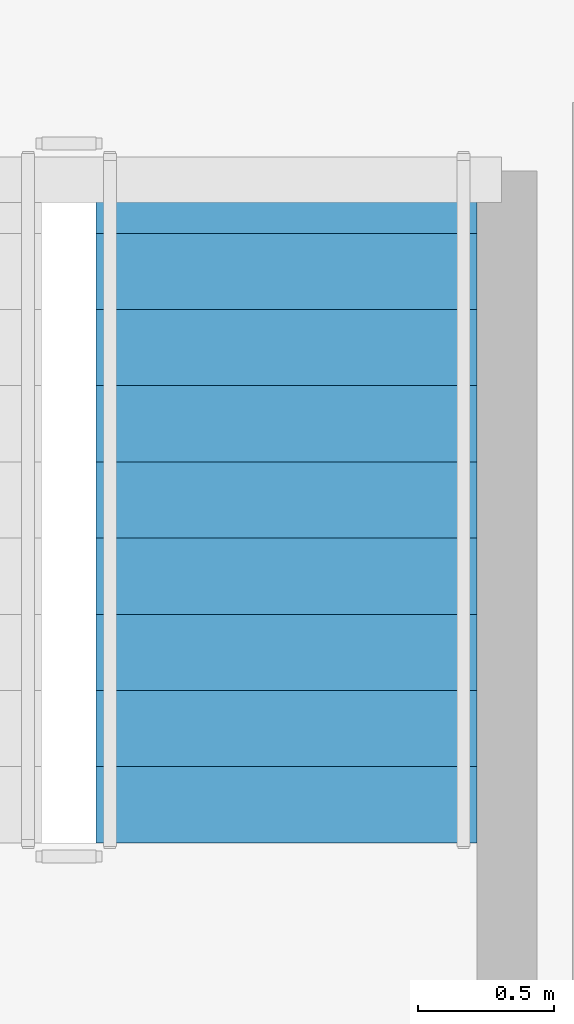
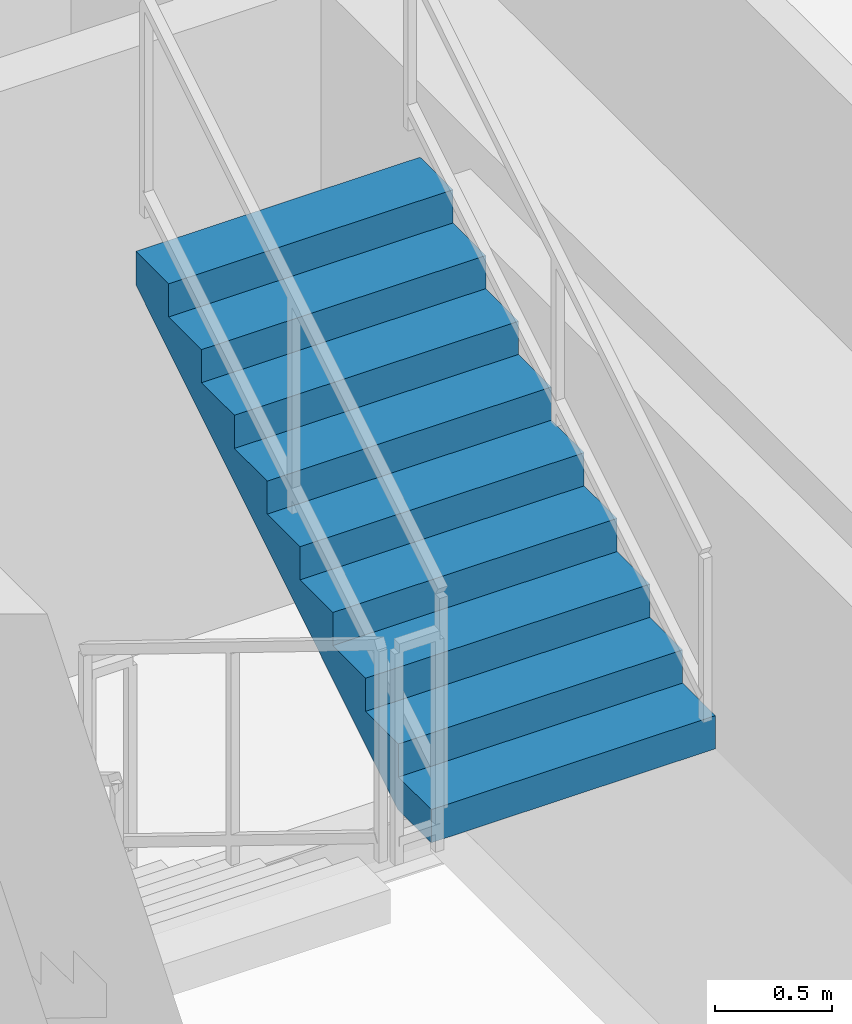
# One storey, part 27 of 30: 1 stair flight, 1 element without a shape of its own.
"""IFC4 building model written with IfcOpenShell, lengths in metres."""

from ifc_helpers import new_model, si_unit, direction, frame, origin, place, context, subcontext, project, spatial, polyline, outline, extrude, material, type_object, element, aggregate, save


model = new_model("IFC4")

# Units and contexts
model_context = context("Model", 3, precision=1e-05, world=origin(), true_north=direction((0.0, 1.0)))
body_context = subcontext(model_context, "Body", "Model", "MODEL_VIEW")
ifc_project = project(units=[si_unit("LENGTHUNIT", "METRE"), si_unit("AREAUNIT", "SQUARE_METRE"), si_unit("VOLUMEUNIT", "CUBIC_METRE"), si_unit("PLANEANGLEUNIT", "RADIAN"), si_unit("MASSUNIT", "GRAM", prefix="KILO")], contexts=[model_context])

# Site, building, storey
site_placement = place(None, origin())
site = spatial("IfcSite", under=ifc_project, at=site_placement, CompositionType="ELEMENT")
building_placement = place(site_placement, origin())
building = spatial("IfcBuilding", under=site, at=building_placement, Name="Qarnah Convention Tower", CompositionType="ELEMENT")
storey_placement = place(building_placement, frame((0.0, 0.0, 79.800048828125)))
storey = spatial("IfcBuildingStorey", under=building, at=storey_placement, Name="L20", CompositionType="ELEMENT", Elevation=79.800048828125)

# Stair, stair flight
ifc_material = material(Name="Concrete C50/60", Category="concrete")
stair_type = type_object("IfcStairType", Name="STR-HTL", PredefinedType="HALF_TURN_STAIR", material=ifc_material)
stair_placement = place(storey_placement, origin())
stair = element("IfcStair", 1, at=stair_placement, inside=storey, type_object=stair_type, Name="L20 Core exit stair ST-2", PredefinedType="HALF_TURN_STAIR")
stair_flight_type = type_object("IfcStairFlightType", Name="FLT-HTL", PredefinedType="STRAIGHT", material=ifc_material)
stair_flight_placement = place(storey_placement, frame((46.25, 22.780029296875, 1.724853515625), z_axis=(0.0, 0.0, 1.0), x_axis=(0.0, 1.0, 0.0)))
stair_flight = element("IfcStairFlight", 2, at=stair_flight_placement, type_object=stair_flight_type, Name="ST-2 flight 2", NumberOfRisers=10, NumberOfTreads=9, PredefinedType="STRAIGHT", RiserHeight=0.1725, TreadLength=0.28, context=body_context, shape_type="SweptSolid", body=[
    extrude(outline(polyline([(0.0, 0.0), (0.0, 0.172607421875), (0.280029296875, 0.172607421875), (0.280029296875, 0.344970703125), (0.56005859375, 0.344970703125), (0.56005859375, 0.517578125), (0.840087890625, 0.517578125), (0.840087890625, 0.68994140625), (1.1201171875, 0.68994140625), (1.1201171875, 0.862548828125), (1.39990234375, 0.862548828125), (1.39990234375, 1.034912109375), (1.679931640625, 1.034912109375), (1.679931640625, 1.20751953125), (1.9599609375, 1.20751953125), (1.9599609375, 1.3798828125), (2.239990234375, 1.3798828125), (2.239990234375, 1.552490234375), (2.52001953125, 1.552490234375), (2.52001953125, 1.72509765625), (2.52001953125, 1.37646484375), (0.285888671875, 0.0), (0.0, 0.0)])), frame((0.0, 0.699951171875, 0.0), z_axis=(0.0, -1.0, 0.0), x_axis=(1.0, 0.0, 0.0)), (0.0, 0.0, 1.0), 1.39990234375),
])
aggregate(stair, [stair_flight])

save(model, "model.ifc")
